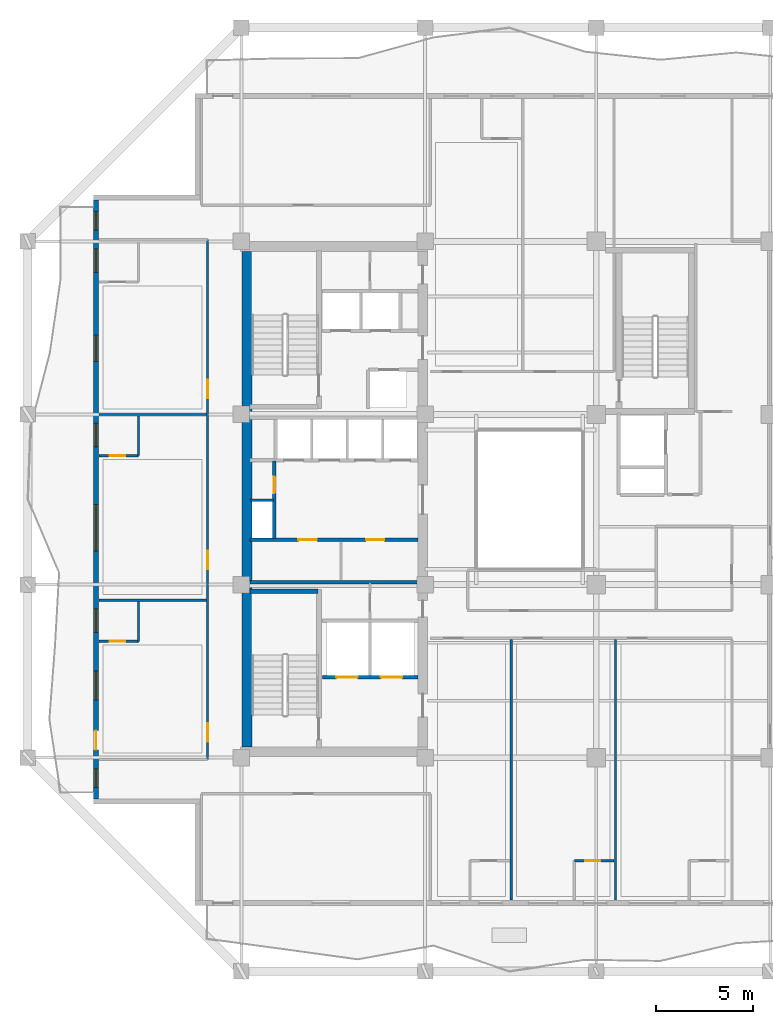
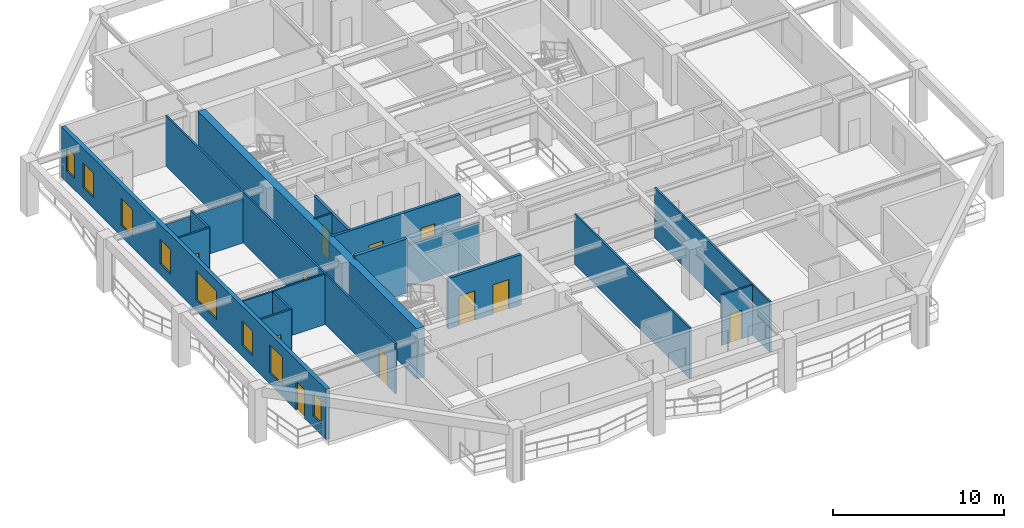
# One storey, part 3 of 13: 18 walls, 12 doors, 8 windows, 20 openings.
"""IFC4 building model written with IfcOpenShell, lengths in metres."""

from ifc_helpers import new_model, si_unit, direction, frame, frame_2d, origin, place, context, subcontext, project, spatial, rectangle, extrude, material, layer, layer_set, type_object, element, fill, save


model = new_model("IFC4")

# Units and contexts
model_context = context("Model", 3, precision=1e-05, world=origin(), true_north=direction((0.0, 1.0)))
body_context = subcontext(model_context, "Body", "Model", "MODEL_VIEW")
ifc_project = project(units=[si_unit("LENGTHUNIT", "METRE"), si_unit("AREAUNIT", "SQUARE_METRE"), si_unit("VOLUMEUNIT", "CUBIC_METRE"), si_unit("PLANEANGLEUNIT", "RADIAN"), si_unit("MASSUNIT", "GRAM", prefix="KILO")], contexts=[model_context])

# Site, building, storey
site_placement = place(None, origin())
site = spatial("IfcSite", under=ifc_project, at=site_placement, CompositionType="ELEMENT")
building_placement = place(site_placement, origin())
building = spatial("IfcBuilding", under=site, at=building_placement, Name="Kundavana Baori Tower", CompositionType="ELEMENT")
storey_placement = place(building_placement, frame((0.0, 0.0, 177.14990234375)))
storey = spatial("IfcBuildingStorey", under=building, at=storey_placement, Name="L43", CompositionType="ELEMENT", Elevation=177.14990234375)

# Walls
ifc_material_1 = material(Name="Concrete C50/60", Category="concrete")
ifc_layer_1 = layer(ifc_material_1, 0.39990234375, Name="WL-CORE-400")
ifc_layer_set_1 = layer_set([ifc_layer_1], Name="Concrete C50/60")
wall_type_1 = type_object("IfcWallType", Name="WL-CORE-400", PredefinedType="SHEAR", material=ifc_layer_set_1)
wall_1_placement = place(storey_placement, frame((15.89990234375, 23.860107421875, 0.0), z_axis=(0.0, 0.0, 1.0), x_axis=(1.0, 0.0, 0.0)))
element("IfcWall", 1, at=wall_1_placement, inside=storey, type_object=wall_type_1, Name="WL-L43-ST1-N", PredefinedType="SHEAR", context=body_context, shape_type="SweptSolid", body=[
    extrude(rectangle(XDim=3.52001953125, YDim=0.239990234375, at=frame_2d((1.760009765625, 0.0))), origin(), (0.0, 0.0, 1.0), 3.85009765625),
])
ifc_material_2 = material(Name="Concrete C50/60", Category="concrete")
ifc_layer_2 = layer(ifc_material_2, 0.5, Name="WL-CORE-500")
ifc_layer_set_2 = layer_set([ifc_layer_2], Name="Concrete C50/60")
wall_type_2 = type_object("IfcWallType", Name="WL-CORE-500", PredefinedType="SHEAR", material=ifc_layer_set_2)
wall_2_placement = place(storey_placement, frame((15.739990234375, 15.81005859375, 0.0), z_axis=(0.0, 0.0, 1.0), x_axis=(0.0, 1.0, 0.0)))
element("IfcWall", 2, at=wall_2_placement, inside=storey, type_object=wall_type_2, Name="L43 Offset Core West Shear Wall", PredefinedType="SHEAR", context=body_context, shape_type="SweptSolid", body=[
    extrude(rectangle(XDim=25.6298828125, YDim=0.5, at=frame_2d((12.81494140625, 0.0))), origin(), (0.0, 0.0, 1.0), 3.60009765625),
])

# Wall, openings, door, windows
ifc_material_3 = material(Name="Kiln-Fired Terracotta Brick-Slip Masonry on Concrete C40/50", Category="masonry")
ifc_layer_3 = layer(ifc_material_3, 0.260009765625, Name="WL-EXT-BRK-260")
ifc_layer_set_3 = layer_set([ifc_layer_3], Name="Kiln-Fired Terracotta Brick-Slip Masonry on Concrete C40/50")
wall_type_3 = type_object("IfcWallType", Name="WL-EXT-BRK-260", PredefinedType="SOLIDWALL", material=ifc_layer_set_3)
wall_3_placement = place(storey_placement, frame((7.929931640625, 44.090087890625, 0.0), z_axis=(0.0, 0.0, 1.0), x_axis=(0.0, -1.0, 0.0)))
wall_3 = element("IfcWall", 3, at=wall_3_placement, inside=storey, type_object=wall_type_3, Name="L43 Exterior Insulated Facade Wall 10", PredefinedType="SOLIDWALL", context=body_context, shape_type="SweptSolid", body=[
    extrude(rectangle(XDim=30.97998046875, YDim=0.260009765625, at=frame_2d((15.489990234375, 0.0))), origin(), (0.0, 0.0, 1.0), 3.60009765625),
])
opening_1_placement = place(wall_3_placement, frame((29.425048828125, 0.0, 0.800048828125)))
opening_1 = element("IfcOpeningElement", 4, at=opening_1_placement, cuts=wall_3, Name="Opening W-13", PredefinedType="OPENING", context=body_context, shape_type="SweptSolid", body=[
    extrude(rectangle(XDim=0.949951171875, YDim=1.64990234375, at=frame_2d((0.47509765625, 0.824951171875))), frame((0.0, 0.14013671875, 0.0), z_axis=(0.0, -1.0, 0.0), x_axis=(1.0, 0.0, 0.0)), (0.0, 0.0, 1.0), 0.280029296875),
])
opening_2_placement = place(wall_3_placement, frame((27.43994140625, 0.0, 0.0)))
opening_2 = element("IfcOpeningElement", 5, at=opening_2_placement, cuts=wall_3, Name="Opening BD-1", PredefinedType="OPENING", context=body_context, shape_type="SweptSolid", body=[
    extrude(rectangle(XDim=1.0, YDim=2.050048828125, at=frame_2d((0.5, 1.02490234375))), frame((0.0, 0.14013671875, 0.0), z_axis=(0.0, -1.0, 0.0), x_axis=(1.0, 0.0, 0.0)), (0.0, 0.0, 1.0), 0.280029296875),
])
opening_3_placement = place(wall_3_placement, frame((24.35009765625, 0.0, 0.800048828125)))
opening_3 = element("IfcOpeningElement", 6, at=opening_3_placement, cuts=wall_3, Name="Opening W-02", PredefinedType="OPENING", context=body_context, shape_type="SweptSolid", body=[
    extrude(rectangle(XDim=1.5, YDim=2.0, at=frame_2d((0.75, 1.0))), frame((0.0, 0.14013671875, 0.0), z_axis=(0.0, -1.0, 0.0), x_axis=(1.0, 0.0, 0.0)), (0.0, 0.0, 1.0), 0.280029296875),
])
opening_4_placement = place(wall_3_placement, frame((21.155029296875, 0.0, 0.800048828125)))
opening_4 = element("IfcOpeningElement", 7, at=opening_4_placement, cuts=wall_3, Name="Opening W-03", PredefinedType="OPENING", context=body_context, shape_type="SweptSolid", body=[
    extrude(rectangle(XDim=1.199951171875, YDim=1.75, at=frame_2d((0.60009765625, 0.875))), frame((0.0, 0.14013671875, 0.0), z_axis=(0.0, -1.0, 0.0), x_axis=(1.0, 0.0, 0.0)), (0.0, 0.0, 1.0), 0.280029296875),
])
opening_5_placement = place(wall_3_placement, frame((15.7548828125, 0.0, 0.800048828125)))
opening_5 = element("IfcOpeningElement", 8, at=opening_5_placement, cuts=wall_3, Name="Opening W-04", PredefinedType="OPENING", context=body_context, shape_type="SweptSolid", body=[
    extrude(rectangle(XDim=2.39990234375, YDim=2.050048828125, at=frame_2d((1.199951171875, 1.02490234375))), frame((0.0, 0.14013671875, 0.0), z_axis=(0.0, -1.0, 0.0), x_axis=(1.0, 0.0, 0.0)), (0.0, 0.0, 1.0), 0.280029296875),
])
opening_6_placement = place(wall_3_placement, frame((11.554931640625, 0.0, 0.800048828125)))
opening_6 = element("IfcOpeningElement", 9, at=opening_6_placement, cuts=wall_3, Name="Opening W-03", PredefinedType="OPENING", context=body_context, shape_type="SweptSolid", body=[
    extrude(rectangle(XDim=1.199951171875, YDim=1.75, at=frame_2d((0.60009765625, 0.875))), frame((0.0, 0.14013671875, 0.0), z_axis=(0.0, -1.0, 0.0), x_axis=(1.0, 0.0, 0.0)), (0.0, 0.0, 1.0), 0.280029296875),
])
opening_7_placement = place(wall_3_placement, frame((6.989990234375, 0.0, 0.800048828125)))
opening_7 = element("IfcOpeningElement", 10, at=opening_7_placement, cuts=wall_3, Name="Opening W-07", PredefinedType="OPENING", context=body_context, shape_type="SweptSolid", body=[
    extrude(rectangle(XDim=1.35009765625, YDim=1.89990234375, at=frame_2d((0.675048828125, 0.949951171875))), frame((0.0, 0.14013671875, 0.0), z_axis=(0.0, -1.0, 0.0), x_axis=(1.0, 0.0, 0.0)), (0.0, 0.0, 1.0), 0.280029296875),
])
opening_8_placement = place(wall_3_placement, frame((2.544921875, 0.0, 0.800048828125)))
opening_8 = element("IfcOpeningElement", 11, at=opening_8_placement, cuts=wall_3, Name="Opening W-03", PredefinedType="OPENING", context=body_context, shape_type="SweptSolid", body=[
    extrude(rectangle(XDim=1.199951171875, YDim=1.75, at=frame_2d((0.60009765625, 0.875))), frame((0.0, 0.14013671875, 0.0), z_axis=(0.0, -1.0, 0.0), x_axis=(1.0, 0.0, 0.0)), (0.0, 0.0, 1.0), 0.280029296875),
])
opening_9_placement = place(wall_3_placement, frame((0.60498046875, 0.0, 0.800048828125)))
opening_9 = element("IfcOpeningElement", 12, at=opening_9_placement, cuts=wall_3, Name="Opening W-13", PredefinedType="OPENING", context=body_context, shape_type="SweptSolid", body=[
    extrude(rectangle(XDim=0.949951171875, YDim=1.64990234375, at=frame_2d((0.47509765625, 0.824951171875))), frame((0.0, 0.14013671875, 0.0), z_axis=(0.0, -1.0, 0.0), x_axis=(1.0, 0.0, 0.0)), (0.0, 0.0, 1.0), 0.280029296875),
])
ifc_material_4 = material(Name="Architectural Patinated Bronze Metalwork")
door_type_1 = type_object("IfcDoorType", Name="DR-EXT-LOG-1000", OperationType="NOTDEFINED", PredefinedType="DOOR", material=ifc_material_4)
door_1_placement = place(opening_2_placement, frame((1.0, 0.0, 0.0), z_axis=(0.0, 0.0, 1.0), x_axis=(-1.0, 0.0, 0.0)))
door_1 = element("IfcDoor", 13, at=door_1_placement, inside=storey, type_object=door_type_1, Name="L43 Loggia Balcony Access Door W", OperationType="SINGLE_SWING_LEFT", OverallHeight=2.050048828125, OverallWidth=1.0, PredefinedType="DOOR", context=body_context, shape_type="SweptSolid", body=[
    extrude(rectangle(XDim=1.0, YDim=2.050048828125, at=frame_2d((0.5, 1.02490234375))), frame((0.0, 0.02490234375, 0.0), z_axis=(0.0, -1.0, 0.0), x_axis=(1.0, 0.0, 0.0)), (0.0, 0.0, 1.0), 0.050048828125),
])
fill(opening_2, door_1)
ifc_material_5 = material(Name="Double-Glazed Solar-Control Low-E Insulated Glass", Category="glass")
window_type_1 = type_object("IfcWindowType", Name="WIN-LOG-1200x1750", PartitioningType="SINGLE_PANEL", PredefinedType="WINDOW", material=ifc_material_5)
window_1_placement = place(opening_4_placement, origin())
window_1 = element("IfcWindow", 14, at=window_1_placement, inside=storey, type_object=window_type_1, Name="L43 Recessed Loggia Window W-3", OverallHeight=1.75, OverallWidth=1.199951171875, PartitioningType="SINGLE_PANEL", PredefinedType="WINDOW", context=body_context, shape_type="SweptSolid", body=[
    extrude(rectangle(XDim=1.199951171875, YDim=1.75, at=frame_2d((0.60009765625, 0.875))), frame((0.0, 0.030029296875, 0.0), z_axis=(0.0, -1.0, 0.0), x_axis=(1.0, 0.0, 0.0)), (0.0, 0.0, 1.0), 0.06005859375),
])
fill(opening_4, window_1)
window_2_placement = place(opening_6_placement, origin())
window_2 = element("IfcWindow", 15, at=window_2_placement, inside=storey, type_object=window_type_1, Name="L43 Recessed Loggia Window W-5", OverallHeight=1.75, OverallWidth=1.199951171875, PartitioningType="SINGLE_PANEL", PredefinedType="WINDOW", context=body_context, shape_type="SweptSolid", body=[
    extrude(rectangle(XDim=1.199951171875, YDim=1.75, at=frame_2d((0.60009765625, 0.875))), frame((0.0, 0.030029296875, 0.0), z_axis=(0.0, -1.0, 0.0), x_axis=(1.0, 0.0, 0.0)), (0.0, 0.0, 1.0), 0.06005859375),
])
fill(opening_6, window_2)
window_3_placement = place(opening_8_placement, origin())
window_3 = element("IfcWindow", 16, at=window_3_placement, inside=storey, type_object=window_type_1, Name="L43 Recessed Loggia Window W-7", OverallHeight=1.75, OverallWidth=1.199951171875, PartitioningType="SINGLE_PANEL", PredefinedType="WINDOW", context=body_context, shape_type="SweptSolid", body=[
    extrude(rectangle(XDim=1.199951171875, YDim=1.75, at=frame_2d((0.60009765625, 0.875))), frame((0.0, 0.030029296875, 0.0), z_axis=(0.0, -1.0, 0.0), x_axis=(1.0, 0.0, 0.0)), (0.0, 0.0, 1.0), 0.06005859375),
])
fill(opening_8, window_3)
ifc_material_6 = material(Name="Double-Glazed Solar-Control Low-E Insulated Glass", Category="glass")
window_type_2 = type_object("IfcWindowType", Name="WIN-LOG-1350x1900", PartitioningType="SINGLE_PANEL", PredefinedType="WINDOW", material=ifc_material_6)
window_4_placement = place(opening_7_placement, origin())
window_4 = element("IfcWindow", 17, at=window_4_placement, inside=storey, type_object=window_type_2, Name="L43 Recessed Loggia Window W-6", OverallHeight=1.89990234375, OverallWidth=1.35009765625, PartitioningType="SINGLE_PANEL", PredefinedType="WINDOW", context=body_context, shape_type="SweptSolid", body=[
    extrude(rectangle(XDim=1.35009765625, YDim=1.89990234375, at=frame_2d((0.675048828125, 0.949951171875))), frame((0.0, 0.030029296875, 0.0), z_axis=(0.0, -1.0, 0.0), x_axis=(1.0, 0.0, 0.0)), (0.0, 0.0, 1.0), 0.06005859375),
])
fill(opening_7, window_4)
ifc_material_7 = material(Name="Double-Glazed Solar-Control Low-E Insulated Glass", Category="glass")
window_type_3 = type_object("IfcWindowType", Name="WIN-LOG-1500x2000", PartitioningType="SINGLE_PANEL", PredefinedType="WINDOW", material=ifc_material_7)
window_5_placement = place(opening_3_placement, origin())
window_5 = element("IfcWindow", 18, at=window_5_placement, inside=storey, type_object=window_type_3, Name="L43 Recessed Loggia Window W-2", OverallHeight=2.0, OverallWidth=1.5, PartitioningType="SINGLE_PANEL", PredefinedType="WINDOW", context=body_context, shape_type="SweptSolid", body=[
    extrude(rectangle(XDim=1.5, YDim=2.0, at=frame_2d((0.75, 1.0))), frame((0.0, 0.030029296875, 0.0), z_axis=(0.0, -1.0, 0.0), x_axis=(1.0, 0.0, 0.0)), (0.0, 0.0, 1.0), 0.06005859375),
])
fill(opening_3, window_5)
ifc_material_8 = material(Name="Double-Glazed Solar-Control Low-E Insulated Glass", Category="glass")
window_type_4 = type_object("IfcWindowType", Name="WIN-LOG-2400x2050", PartitioningType="SINGLE_PANEL", PredefinedType="WINDOW", material=ifc_material_8)
window_6_placement = place(opening_5_placement, origin())
window_6 = element("IfcWindow", 19, at=window_6_placement, inside=storey, type_object=window_type_4, Name="L43 Recessed Loggia Window W-4", OverallHeight=2.050048828125, OverallWidth=2.39990234375, PartitioningType="SINGLE_PANEL", PredefinedType="WINDOW", context=body_context, shape_type="SweptSolid", body=[
    extrude(rectangle(XDim=2.39990234375, YDim=2.050048828125, at=frame_2d((1.199951171875, 1.02490234375))), frame((0.0, 0.030029296875, 0.0), z_axis=(0.0, -1.0, 0.0), x_axis=(1.0, 0.0, 0.0)), (0.0, 0.0, 1.0), 0.06005859375),
])
fill(opening_5, window_6)
ifc_material_9 = material(Name="Double-Glazed Solar-Control Low-E Insulated Glass", Category="glass")
window_type_5 = type_object("IfcWindowType", Name="WIN-LOG-950x1650", PartitioningType="SINGLE_PANEL", PredefinedType="WINDOW", material=ifc_material_9)
window_7_placement = place(opening_1_placement, origin())
window_7 = element("IfcWindow", 20, at=window_7_placement, inside=storey, type_object=window_type_5, Name="L43 Recessed Loggia Window W-1", OverallHeight=1.64990234375, OverallWidth=0.949951171875, PartitioningType="SINGLE_PANEL", PredefinedType="WINDOW", context=body_context, shape_type="SweptSolid", body=[
    extrude(rectangle(XDim=0.949951171875, YDim=1.64990234375, at=frame_2d((0.47509765625, 0.824951171875))), frame((0.0, 0.030029296875, 0.0), z_axis=(0.0, -1.0, 0.0), x_axis=(1.0, 0.0, 0.0)), (0.0, 0.0, 1.0), 0.06005859375),
])
fill(opening_1, window_7)
window_8_placement = place(opening_9_placement, origin())
window_8 = element("IfcWindow", 21, at=window_8_placement, inside=storey, type_object=window_type_5, Name="L43 Recessed Loggia Window W-8", OverallHeight=1.64990234375, OverallWidth=0.949951171875, PartitioningType="SINGLE_PANEL", PredefinedType="WINDOW", context=body_context, shape_type="SweptSolid", body=[
    extrude(rectangle(XDim=0.949951171875, YDim=1.64990234375, at=frame_2d((0.47509765625, 0.824951171875))), frame((0.0, 0.030029296875, 0.0), z_axis=(0.0, -1.0, 0.0), x_axis=(1.0, 0.0, 0.0)), (0.0, 0.0, 1.0), 0.06005859375),
])
fill(opening_9, window_8)

# Wall
ifc_material_10 = material(Name="Acoustic Gypsum Plasterboard on Galvanised Steel Studs", Category="steel")
ifc_layer_4 = layer(ifc_material_10, 0.1201171875, Name="WL-PART-120")
ifc_layer_set_4 = layer_set([ifc_layer_4], Name="Acoustic Gypsum Plasterboard on Galvanised Steel Studs")
wall_type_4 = type_object("IfcWallType", Name="WL-PART-120", PredefinedType="PARTITIONING", material=ifc_layer_set_4)
wall_4_placement = place(storey_placement, frame((15.89990234375, 28.56005859375, 0.0), z_axis=(0.0, 0.0, 1.0), x_axis=(1.0, 0.0, 0.0)))
element("IfcWall", 22, at=wall_4_placement, inside=storey, type_object=wall_type_4, Name="WL-L43-RSRW-N", PredefinedType="PARTITIONING", context=body_context, shape_type="SweptSolid", body=[
    extrude(rectangle(XDim=1.2001953125, YDim=0.1201171875, at=frame_2d((0.60009765625, 0.0))), origin(), (0.0, 0.0, 1.0), 3.60009765625),
])

# Wall, openings, doors
wall_5_placement = place(storey_placement, frame((13.699951171875, 15.159912109375, 0.0), z_axis=(0.0, 0.0, 1.0), x_axis=(0.0, 1.0, 0.0)))
wall_5 = element("IfcWall", 23, at=wall_5_placement, inside=storey, type_object=wall_type_4, Name="WL-L43-HW", PredefinedType="PARTITIONING", context=body_context, shape_type="SweptSolid", body=[
    extrude(rectangle(XDim=26.880126953125, YDim=0.1201171875, at=frame_2d((13.43994140625, 0.0))), origin(), (0.0, 0.0, 1.0), 3.60009765625),
])
opening_10_placement = place(wall_5_placement, frame((0.909912109375, 0.0, 0.0)))
opening_10 = element("IfcOpeningElement", 24, at=opening_10_placement, cuts=wall_5, Name="Opening FD-095", PredefinedType="OPENING", context=body_context, shape_type="SweptSolid", body=[
    extrude(rectangle(XDim=0.949951171875, YDim=2.10009765625, at=frame_2d((0.47509765625, 1.050048828125))), frame((0.0, 0.070068359375, 0.0), z_axis=(0.0, -1.0, 0.0), x_axis=(1.0, 0.0, 0.0)), (0.0, 0.0, 1.0), 0.14013671875),
])
opening_11_placement = place(wall_5_placement, frame((9.840087890625, 0.0, 0.0)))
opening_11 = element("IfcOpeningElement", 25, at=opening_11_placement, cuts=wall_5, Name="Opening FD-095", PredefinedType="OPENING", context=body_context, shape_type="SweptSolid", body=[
    extrude(rectangle(XDim=0.949951171875, YDim=2.10009765625, at=frame_2d((0.47509765625, 1.050048828125))), frame((0.0, 0.070068359375, 0.0), z_axis=(0.0, -1.0, 0.0), x_axis=(1.0, 0.0, 0.0)), (0.0, 0.0, 1.0), 0.14013671875),
])
opening_12_placement = place(wall_5_placement, frame((18.68994140625, 0.0, 0.0)))
opening_12 = element("IfcOpeningElement", 26, at=opening_12_placement, cuts=wall_5, Name="Opening FD-095", PredefinedType="OPENING", context=body_context, shape_type="SweptSolid", body=[
    extrude(rectangle(XDim=0.949951171875, YDim=2.10009765625, at=frame_2d((0.47509765625, 1.050048828125))), frame((0.0, 0.070068359375, 0.0), z_axis=(0.0, -1.0, 0.0), x_axis=(1.0, 0.0, 0.0)), (0.0, 0.0, 1.0), 0.14013671875),
])
ifc_material_11 = material(Name="Engineered Teak Fire-Rated Timber Door Leaf", Category="wood")
door_type_2 = type_object("IfcDoorType", Name="DR-FD60-950", OperationType="NOTDEFINED", PredefinedType="DOOR", material=ifc_material_11)
door_2_placement = place(opening_10_placement, origin())
door_2 = element("IfcDoor", 27, at=door_2_placement, inside=storey, type_object=door_type_2, Name="DR-L43-HK-W1-ENT", OperationType="SINGLE_SWING_LEFT", OverallHeight=2.10009765625, OverallWidth=0.949951171875, PredefinedType="DOOR", context=body_context, shape_type="SweptSolid", body=[
    extrude(rectangle(XDim=0.949951171875, YDim=2.10009765625, at=frame_2d((0.47509765625, 1.050048828125))), frame((0.0, 0.02490234375, 0.0), z_axis=(0.0, -1.0, 0.0), x_axis=(1.0, 0.0, 0.0)), (0.0, 0.0, 1.0), 0.050048828125),
])
fill(opening_10, door_2)
door_3_placement = place(opening_11_placement, origin())
door_3 = element("IfcDoor", 28, at=door_3_placement, inside=storey, type_object=door_type_2, Name="DR-L43-HK-W2-ENT", OperationType="SINGLE_SWING_LEFT", OverallHeight=2.10009765625, OverallWidth=0.949951171875, PredefinedType="DOOR", context=body_context, shape_type="SweptSolid", body=[
    extrude(rectangle(XDim=0.949951171875, YDim=2.10009765625, at=frame_2d((0.47509765625, 1.050048828125))), frame((0.0, 0.02490234375, 0.0), z_axis=(0.0, -1.0, 0.0), x_axis=(1.0, 0.0, 0.0)), (0.0, 0.0, 1.0), 0.050048828125),
])
fill(opening_11, door_3)
door_4_placement = place(opening_12_placement, origin())
door_4 = element("IfcDoor", 29, at=door_4_placement, inside=storey, type_object=door_type_2, Name="DR-L43-HK-W3-ENT", OperationType="SINGLE_SWING_LEFT", OverallHeight=2.10009765625, OverallWidth=0.949951171875, PredefinedType="DOOR", context=body_context, shape_type="SweptSolid", body=[
    extrude(rectangle(XDim=0.949951171875, YDim=2.10009765625, at=frame_2d((0.47509765625, 1.050048828125))), frame((0.0, 0.02490234375, 0.0), z_axis=(0.0, -1.0, 0.0), x_axis=(1.0, 0.0, 0.0)), (0.0, 0.0, 1.0), 0.050048828125),
])
fill(opening_12, door_4)

# Walls
wall_6_placement = place(storey_placement, frame((8.080078125, 23.39990234375, 0.0), z_axis=(0.0, 0.0, 1.0), x_axis=(1.0, 0.0, 0.0)))
element("IfcWall", 30, at=wall_6_placement, inside=storey, type_object=wall_type_4, Name="WL-L43-HWD1", PredefinedType="PARTITIONING", context=body_context, shape_type="SweptSolid", body=[
    extrude(rectangle(XDim=5.559814453125, YDim=0.1201171875, at=frame_2d((2.77978515625, 0.0))), origin(), (0.0, 0.0, 1.0), 3.60009765625),
])
wall_7_placement = place(storey_placement, frame((8.080078125, 33.0, 0.0), z_axis=(0.0, 0.0, 1.0), x_axis=(1.0, 0.0, 0.0)))
element("IfcWall", 31, at=wall_7_placement, inside=storey, type_object=wall_type_4, Name="WL-L43-HWD2", PredefinedType="PARTITIONING", context=body_context, shape_type="SweptSolid", body=[
    extrude(rectangle(XDim=5.559814453125, YDim=0.1201171875, at=frame_2d((2.77978515625, 0.0))), origin(), (0.0, 0.0, 1.0), 3.150146484375),
])
for number, where, z_axis, x_axis, name in (
    (32, (29.39990234375, 7.8798828125, 0.0), (0.0, 0.0, 1.0), (0.0, 1.0, 0.0), "WL-L43-HSD1"),
    (33, (34.800048828125, 7.8798828125, 0.0), (0.0, 0.0, 1.0), (0.0, 1.0, 0.0), "WL-L43-HSD2"),
):
    element("IfcWall", number, at=place(storey_placement, frame(where, z_axis=z_axis, x_axis=x_axis)), inside=storey, type_object=wall_type_4, Name=name, PredefinedType="PARTITIONING", context=body_context, shape_type="SweptSolid", body=[
        extrude(rectangle(XDim=13.480224609375, YDim=0.1201171875, at=frame_2d((6.740234375, 0.0))), origin(), (0.0, 0.0, 1.0), 3.60009765625),
    ])

# Wall, openings, doors
ifc_material_12 = material(Name="Autoclaved Aerated Concrete Blockwork Masonry", Category="masonry")
ifc_layer_5 = layer(ifc_material_12, 0.179931640625, Name="WL-SHAFT-180")
ifc_layer_set_5 = layer_set([ifc_layer_5], Name="Autoclaved Aerated Concrete Blockwork Masonry")
wall_type_5 = type_object("IfcWallType", Name="WL-SHAFT-180", PredefinedType="SOLIDWALL", material=ifc_layer_set_5)
wall_8_placement = place(storey_placement, frame((19.639892578125, 19.419921875, 0.0), z_axis=(0.0, 0.0, 1.0), x_axis=(1.0, 0.0, 0.0)))
wall_8 = element("IfcWall", 34, at=wall_8_placement, inside=storey, type_object=wall_type_5, Name="WL-L43-FFL-S", PredefinedType="SOLIDWALL", context=body_context, shape_type="SweptSolid", body=[
    extrude(rectangle(XDim=4.940185546875, YDim=0.179931640625, at=frame_2d((2.47021484375, 0.0))), origin(), (0.0, 0.0, 1.0), 3.60009765625),
])
opening_13_placement = place(wall_8_placement, frame((0.719970703125, 0.0, 0.0)))
opening_13 = element("IfcOpeningElement", 35, at=opening_13_placement, cuts=wall_8, Name="Opening LD-110", PredefinedType="OPENING", context=body_context, shape_type="SweptSolid", body=[
    extrude(rectangle(XDim=1.10009765625, YDim=2.10009765625, at=frame_2d((0.550048828125, 1.050048828125))), frame((0.0, 0.10009765625, 0.0), z_axis=(0.0, -1.0, 0.0), x_axis=(1.0, 0.0, 0.0)), (0.0, 0.0, 1.0), 0.199951171875),
])
opening_14_placement = place(wall_8_placement, frame((3.02001953125, 0.0, 0.0)))
opening_14 = element("IfcOpeningElement", 36, at=opening_14_placement, cuts=wall_8, Name="Opening LD-110", PredefinedType="OPENING", context=body_context, shape_type="SweptSolid", body=[
    extrude(rectangle(XDim=1.10009765625, YDim=2.10009765625, at=frame_2d((0.550048828125, 1.050048828125))), frame((0.0, 0.10009765625, 0.0), z_axis=(0.0, -1.0, 0.0), x_axis=(1.0, 0.0, 0.0)), (0.0, 0.0, 1.0), 0.199951171875),
])
ifc_material_13 = material(Name="Galvanised Steel Fire-Rated Door Leaf", Category="steel")
door_type_3 = type_object("IfcDoorType", Name="DR-SLIDE-LD1100", OperationType="NOTDEFINED", PredefinedType="DOOR", material=ifc_material_13)
door_5_placement = place(opening_13_placement, origin())
door_5 = element("IfcDoor", 37, at=door_5_placement, inside=storey, type_object=door_type_3, Name="DR-L43-LD-FFL-1", OperationType="DOUBLE_DOOR_SLIDING", OverallHeight=2.10009765625, OverallWidth=1.10009765625, PredefinedType="DOOR", context=body_context, shape_type="SweptSolid", body=[
    extrude(rectangle(XDim=1.10009765625, YDim=2.10009765625, at=frame_2d((0.550048828125, 1.050048828125))), frame((0.0, 0.02490234375, 0.0), z_axis=(0.0, -1.0, 0.0), x_axis=(1.0, 0.0, 0.0)), (0.0, 0.0, 1.0), 0.050048828125),
])
fill(opening_13, door_5)
door_6_placement = place(opening_14_placement, origin())
door_6 = element("IfcDoor", 38, at=door_6_placement, inside=storey, type_object=door_type_3, Name="DR-L43-LD-FFL-2", OperationType="DOUBLE_DOOR_SLIDING", OverallHeight=2.10009765625, OverallWidth=1.10009765625, PredefinedType="DOOR", context=body_context, shape_type="SweptSolid", body=[
    extrude(rectangle(XDim=1.10009765625, YDim=2.10009765625, at=frame_2d((0.550048828125, 1.050048828125))), frame((0.0, 0.02490234375, 0.0), z_axis=(0.0, -1.0, 0.0), x_axis=(1.0, 0.0, 0.0)), (0.0, 0.0, 1.0), 0.050048828125),
])
fill(opening_14, door_6)

wall_9_placement = place(storey_placement, frame((15.89990234375, 26.52001953125, 0.0), z_axis=(0.0, 0.0, 1.0), x_axis=(1.0, 0.0, 0.0)))
wall_9 = element("IfcWall", 39, at=wall_9_placement, inside=storey, type_object=wall_type_5, Name="WL-L43-LPLOW-N", PredefinedType="SOLIDWALL", context=body_context, shape_type="SweptSolid", body=[
    extrude(rectangle(XDim=8.68017578125, YDim=0.179931640625, at=frame_2d((4.340087890625, 0.0))), origin(), (0.0, 0.0, 1.0), 3.60009765625),
])
opening_15_placement = place(wall_9_placement, frame((2.5, 0.0, 0.0)))
opening_15 = element("IfcOpeningElement", 40, at=opening_15_placement, cuts=wall_9, Name="Opening FD-095", PredefinedType="OPENING", context=body_context, shape_type="SweptSolid", body=[
    extrude(rectangle(XDim=0.949951171875, YDim=2.10009765625, at=frame_2d((0.47509765625, 1.050048828125))), frame((0.0, 0.10009765625, 0.0), z_axis=(0.0, -1.0, 0.0), x_axis=(1.0, 0.0, 0.0)), (0.0, 0.0, 1.0), 0.199951171875),
])
opening_16_placement = place(wall_9_placement, frame((6.0, 0.0, 0.0)))
opening_16 = element("IfcOpeningElement", 41, at=opening_16_placement, cuts=wall_9, Name="Opening FD-095", PredefinedType="OPENING", context=body_context, shape_type="SweptSolid", body=[
    extrude(rectangle(XDim=0.949951171875, YDim=2.10009765625, at=frame_2d((0.47509765625, 1.050048828125))), frame((0.0, 0.10009765625, 0.0), z_axis=(0.0, -1.0, 0.0), x_axis=(1.0, 0.0, 0.0)), (0.0, 0.0, 1.0), 0.199951171875),
])
door_7_placement = place(opening_15_placement, origin())
door_7 = element("IfcDoor", 42, at=door_7_placement, inside=storey, type_object=door_type_2, Name="DR-L43-FRLOW1", OperationType="SINGLE_SWING_LEFT", OverallHeight=2.10009765625, OverallWidth=0.949951171875, PredefinedType="DOOR", context=body_context, shape_type="SweptSolid", body=[
    extrude(rectangle(XDim=0.949951171875, YDim=2.10009765625, at=frame_2d((0.47509765625, 1.050048828125))), frame((0.0, 0.02490234375, 0.0), z_axis=(0.0, -1.0, 0.0), x_axis=(1.0, 0.0, 0.0)), (0.0, 0.0, 1.0), 0.050048828125),
])
fill(opening_15, door_7)
door_8_placement = place(opening_16_placement, origin())
door_8 = element("IfcDoor", 43, at=door_8_placement, inside=storey, type_object=door_type_2, Name="DR-L43-FRLOW2", OperationType="SINGLE_SWING_RIGHT", OverallHeight=2.10009765625, OverallWidth=0.949951171875, PredefinedType="DOOR", context=body_context, shape_type="SweptSolid", body=[
    extrude(rectangle(XDim=0.949951171875, YDim=2.10009765625, at=frame_2d((0.47509765625, 1.050048828125))), frame((0.0, 0.02490234375, 0.0), z_axis=(0.0, -1.0, 0.0), x_axis=(1.0, 0.0, 0.0)), (0.0, 0.0, 1.0), 0.050048828125),
])
fill(opening_16, door_8)

# Wall
wall_10_placement = place(storey_placement, frame((15.89990234375, 24.330078125, 0.0), z_axis=(0.0, 0.0, 1.0), x_axis=(1.0, 0.0, 0.0)))
element("IfcWall", 44, at=wall_10_placement, inside=storey, type_object=wall_type_5, Name="WL-L43-LPLOW-S", PredefinedType="SOLIDWALL", context=body_context, shape_type="SweptSolid", body=[
    extrude(rectangle(XDim=8.68017578125, YDim=0.179931640625, at=frame_2d((4.340087890625, 0.0))), origin(), (0.0, 0.0, 1.0), 2.9501953125),
])

# Wall, opening, door
wall_11_placement = place(storey_placement, frame((17.159912109375, 26.580078125, 0.0), z_axis=(0.0, 0.0, 1.0), x_axis=(0.0, 1.0, 0.0)))
wall_11 = element("IfcWall", 45, at=wall_11_placement, inside=storey, type_object=wall_type_5, Name="WL-L43-RSRW-E", PredefinedType="SOLIDWALL", context=body_context, shape_type="SweptSolid", body=[
    extrude(rectangle(XDim=4.02001953125, YDim=0.179931640625, at=frame_2d((2.010009765625, 0.0))), origin(), (0.0, 0.0, 1.0), 3.60009765625),
])
opening_17_placement = place(wall_11_placement, frame((2.35009765625, 0.0, 0.0)))
opening_17 = element("IfcOpeningElement", 46, at=opening_17_placement, cuts=wall_11, Name="Opening FD-085", PredefinedType="OPENING", context=body_context, shape_type="SweptSolid", body=[
    extrude(rectangle(XDim=0.85009765625, YDim=2.06005859375, at=frame_2d((0.425048828125, 1.030029296875))), frame((0.0, 0.10009765625, 0.0), z_axis=(0.0, -1.0, 0.0), x_axis=(1.0, 0.0, 0.0)), (0.0, 0.0, 1.0), 0.199951171875),
])
ifc_material_14 = material(Name="Galvanised Steel Fire-Rated Door Leaf", Category="steel")
door_type_4 = type_object("IfcDoorType", Name="DR-FD60-850", OperationType="NOTDEFINED", PredefinedType="DOOR", material=ifc_material_14)
door_9_placement = place(opening_17_placement, origin())
door_9 = element("IfcDoor", 47, at=door_9_placement, inside=storey, type_object=door_type_4, Name="DR-L43-CLN", OperationType="SINGLE_SWING_RIGHT", OverallHeight=2.06005859375, OverallWidth=0.85009765625, PredefinedType="DOOR", context=body_context, shape_type="SweptSolid", body=[
    extrude(rectangle(XDim=0.85009765625, YDim=2.06005859375, at=frame_2d((0.425048828125, 1.030029296875))), frame((0.0, 0.02490234375, 0.0), z_axis=(0.0, -1.0, 0.0), x_axis=(1.0, 0.0, 0.0)), (0.0, 0.0, 1.0), 0.050048828125),
])
fill(opening_17, door_9)

# Wall
ifc_material_15 = material(Name="Autoclaved Aerated Concrete Blockwork Masonry", Category="masonry")
ifc_layer_6 = layer(ifc_material_15, 0.125, Name="WL-WET-120")
ifc_layer_set_6 = layer_set([ifc_layer_6], Name="Autoclaved Aerated Concrete Blockwork Masonry")
wall_type_6 = type_object("IfcWallType", Name="WL-WET-120", PredefinedType="PLUMBINGWALL", material=ifc_layer_set_6)
wall_12_placement = place(storey_placement, frame((10.1298828125, 21.27001953125, 0.0), z_axis=(0.0, 0.0, 1.0), x_axis=(0.0, 1.0, 0.0)))
element("IfcWall", 48, at=wall_12_placement, inside=storey, type_object=wall_type_6, Name="WL-L43-HK-W1-BE", PredefinedType="PLUMBINGWALL", context=body_context, shape_type="SweptSolid", body=[
    extrude(rectangle(XDim=2.050048828125, YDim=0.125, at=frame_2d((1.02490234375, 0.0))), origin(), (0.0, 0.0, 1.0), 3.60009765625),
])

# Wall, opening, door
wall_13_placement = place(storey_placement, frame((8.080078125, 21.27001953125, 0.0), z_axis=(0.0, 0.0, 1.0), x_axis=(1.0, 0.0, 0.0)))
wall_13 = element("IfcWall", 49, at=wall_13_placement, inside=storey, type_object=wall_type_6, Name="WL-L43-HK-W1-BS", PredefinedType="PLUMBINGWALL", context=body_context, shape_type="SweptSolid", body=[
    extrude(rectangle(XDim=2.0498046875, YDim=0.125, at=frame_2d((1.02490234375, 0.0))), origin(), (0.0, 0.0, 1.0), 3.60009765625),
])
opening_18_placement = place(wall_13_placement, frame((0.550048828125, 0.0, 0.0)))
opening_18 = element("IfcOpeningElement", 50, at=opening_18_placement, cuts=wall_13, Name="Opening WD-080", PredefinedType="OPENING", context=body_context, shape_type="SweptSolid", body=[
    extrude(rectangle(XDim=0.800048828125, YDim=2.050048828125, at=frame_2d((0.39990234375, 1.02490234375))), frame((0.0, 0.072509765625, 0.0), z_axis=(0.0, -1.0, 0.0), x_axis=(1.0, 0.0, 0.0)), (0.0, 0.0, 1.0), 0.14501953125),
])
ifc_material_16 = material(Name="Engineered Teak Solid-Core Timber Veneer", Category="wood")
door_type_5 = type_object("IfcDoorType", Name="DR-WET-800", OperationType="NOTDEFINED", PredefinedType="DOOR", material=ifc_material_16)
door_10_placement = place(opening_18_placement, frame((0.800048828125, 0.0, 0.0), z_axis=(0.0, 0.0, 1.0), x_axis=(-1.0, 0.0, 0.0)))
door_10 = element("IfcDoor", 51, at=door_10_placement, inside=storey, type_object=door_type_5, Name="DR-L43-HK-W1-ENS", OperationType="SINGLE_SWING_LEFT", OverallHeight=2.050048828125, OverallWidth=0.800048828125, PredefinedType="DOOR", context=body_context, shape_type="SweptSolid", body=[
    extrude(rectangle(XDim=0.800048828125, YDim=2.050048828125, at=frame_2d((0.39990234375, 1.02490234375))), frame((0.0, 0.02490234375, 0.0), z_axis=(0.0, -1.0, 0.0), x_axis=(1.0, 0.0, 0.0)), (0.0, 0.0, 1.0), 0.050048828125),
])
fill(opening_18, door_10)

# Wall
wall_14_placement = place(storey_placement, frame((10.1298828125, 30.8701171875, 0.0), z_axis=(0.0, 0.0, 1.0), x_axis=(0.0, 1.0, 0.0)))
element("IfcWall", 52, at=wall_14_placement, inside=storey, type_object=wall_type_6, Name="WL-L43-HK-W2-BE", PredefinedType="PLUMBINGWALL", context=body_context, shape_type="SweptSolid", body=[
    extrude(rectangle(XDim=2.0498046875, YDim=0.125, at=frame_2d((1.02490234375, 0.0))), origin(), (0.0, 0.0, 1.0), 3.60009765625),
])

# Wall, opening, door
wall_15_placement = place(storey_placement, frame((8.080078125, 30.8701171875, 0.0), z_axis=(0.0, 0.0, 1.0), x_axis=(1.0, 0.0, 0.0)))
wall_15 = element("IfcWall", 53, at=wall_15_placement, inside=storey, type_object=wall_type_6, Name="WL-L43-HK-W2-BS", PredefinedType="PLUMBINGWALL", context=body_context, shape_type="SweptSolid", body=[
    extrude(rectangle(XDim=2.0498046875, YDim=0.125, at=frame_2d((1.02490234375, 0.0))), origin(), (0.0, 0.0, 1.0), 3.60009765625),
])
opening_19_placement = place(wall_15_placement, frame((0.550048828125, 0.0, 0.0)))
opening_19 = element("IfcOpeningElement", 54, at=opening_19_placement, cuts=wall_15, Name="Opening WD-080", PredefinedType="OPENING", context=body_context, shape_type="SweptSolid", body=[
    extrude(rectangle(XDim=0.800048828125, YDim=2.050048828125, at=frame_2d((0.39990234375, 1.02490234375))), frame((0.0, 0.072509765625, 0.0), z_axis=(0.0, -1.0, 0.0), x_axis=(1.0, 0.0, 0.0)), (0.0, 0.0, 1.0), 0.14501953125),
])
door_11_placement = place(opening_19_placement, frame((0.800048828125, 0.0, 0.0), z_axis=(0.0, 0.0, 1.0), x_axis=(-1.0, 0.0, 0.0)))
door_11 = element("IfcDoor", 55, at=door_11_placement, inside=storey, type_object=door_type_5, Name="DR-L43-HK-W2-ENS", OperationType="SINGLE_SWING_LEFT", OverallHeight=2.050048828125, OverallWidth=0.800048828125, PredefinedType="DOOR", context=body_context, shape_type="SweptSolid", body=[
    extrude(rectangle(XDim=0.800048828125, YDim=2.050048828125, at=frame_2d((0.39990234375, 1.02490234375))), frame((0.0, 0.02490234375, 0.0), z_axis=(0.0, -1.0, 0.0), x_axis=(1.0, 0.0, 0.0)), (0.0, 0.0, 1.0), 0.050048828125),
])
fill(opening_19, door_11)

wall_16_placement = place(storey_placement, frame((32.669921875, 9.929931640625, 0.0), z_axis=(0.0, 0.0, 1.0), x_axis=(1.0, 0.0, 0.0)))
wall_16 = element("IfcWall", 56, at=wall_16_placement, inside=storey, type_object=wall_type_6, Name="WL-L43-HK-S2-BN", PredefinedType="PLUMBINGWALL", context=body_context, shape_type="SweptSolid", body=[
    extrude(rectangle(XDim=2.050048828125, YDim=0.125, at=frame_2d((1.02490234375, 0.0))), origin(), (0.0, 0.0, 1.0), 3.60009765625),
])
opening_20_placement = place(wall_16_placement, frame((0.550048828125, 0.0, 0.0)))
opening_20 = element("IfcOpeningElement", 57, at=opening_20_placement, cuts=wall_16, Name="Opening WD-080", PredefinedType="OPENING", context=body_context, shape_type="SweptSolid", body=[
    extrude(rectangle(XDim=0.800048828125, YDim=2.050048828125, at=frame_2d((0.39990234375, 1.02490234375))), frame((0.0, 0.072509765625, 0.0), z_axis=(0.0, -1.0, 0.0), x_axis=(1.0, 0.0, 0.0)), (0.0, 0.0, 1.0), 0.14501953125),
])
door_12_placement = place(opening_20_placement, origin())
door_12 = element("IfcDoor", 58, at=door_12_placement, inside=storey, type_object=door_type_5, Name="DR-L43-HK-S2-ENS", OperationType="SINGLE_SWING_LEFT", OverallHeight=2.050048828125, OverallWidth=0.800048828125, PredefinedType="DOOR", context=body_context, shape_type="SweptSolid", body=[
    extrude(rectangle(XDim=0.800048828125, YDim=2.050048828125, at=frame_2d((0.39990234375, 1.02490234375))), frame((0.0, 0.02490234375, 0.0), z_axis=(0.0, -1.0, 0.0), x_axis=(1.0, 0.0, 0.0)), (0.0, 0.0, 1.0), 0.050048828125),
])
fill(opening_20, door_12)

save(model, "model.ifc")
